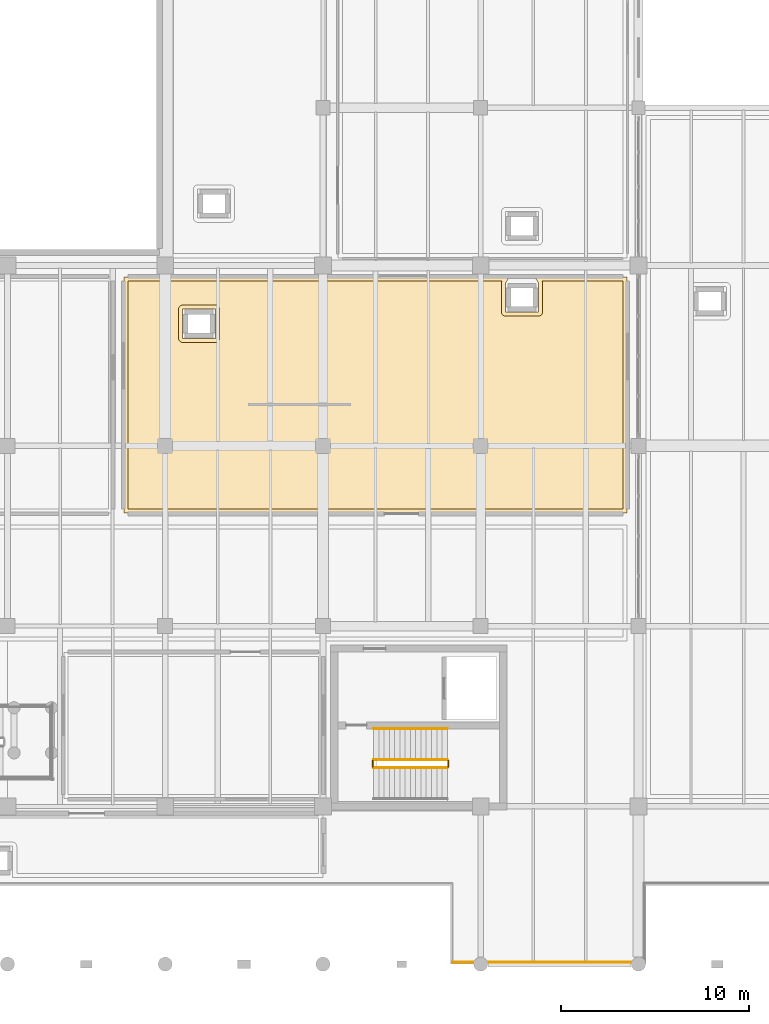
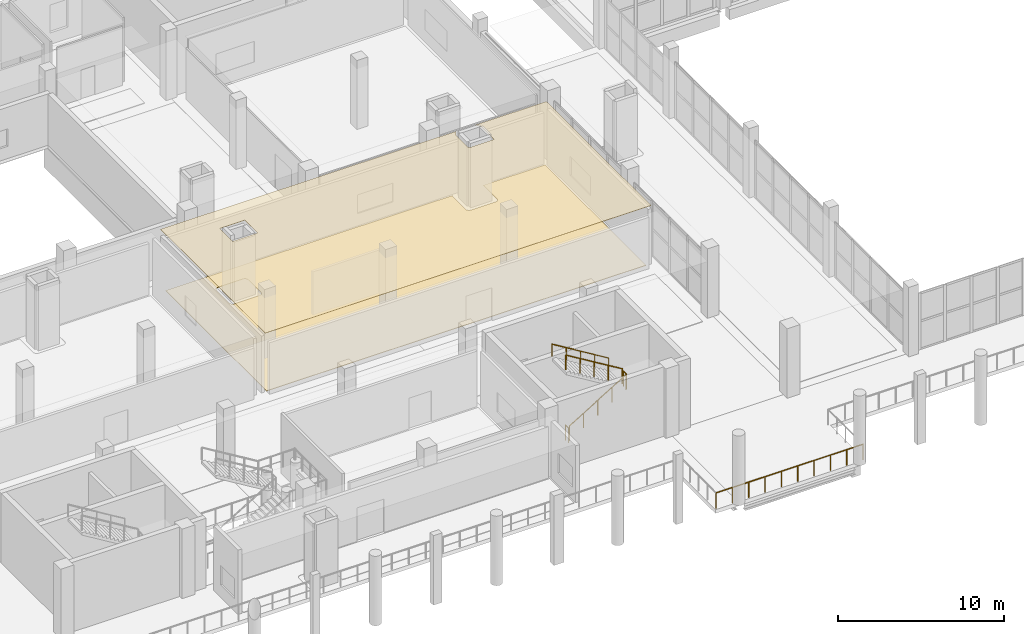
# One storey, part 58 of 66: 6 railings, 2 coverings.
"""IFC4 building model written with IfcOpenShell, lengths in metres."""

import ifcopenshell
import ifcopenshell.guid

model = None  # the IFC model being written
_history = None  # IfcOwnerHistory: only IFC2X3 demands one
_inside = {}  # id of a spatial element -> (the spatial element, [elements in it])
_under = {}  # id of a project, library or spatial element -> (it, [spatial elements below it])
_declared = {}  # id of a project -> (the project, [libraries it declares])
_typed = {}  # id of a type object -> (the type object, [elements of that type])
_made_of = {}  # id of a material, layer set ... -> (it, [elements and type objects made of it])


def new_model(schema):
    """Start an empty IFC model of exactly this schema.

    Asked for "IFC4X3", IfcOpenShell would pick the latest addendum, in which some entities
    have other attributes; the version numbers below select the first issue.
    IFC2X3 requires an IfcOwnerHistory on every rooted entity: one is made here for all.
    """
    global model, _history
    if schema == "IFC4X3":
        model = ifcopenshell.file(schema_version=(4, 3, 0, 0))
    else:
        model = ifcopenshell.file(schema=schema)
    _inside.clear()
    _under.clear()
    _declared.clear()
    _typed.clear()
    _made_of.clear()
    _history = None
    if model.schema == "IFC2X3":
        org = make("IfcOrganization", Name="unknown")
        user = make(
            "IfcPersonAndOrganization",
            ThePerson=make("IfcPerson", FamilyName="unknown"),
            TheOrganization=org,
        )
        app = make(
            "IfcApplication",
            ApplicationDeveloper=org,
            Version="unknown",
            ApplicationFullName="unknown",
            ApplicationIdentifier="unknown",
        )
        _history = make(
            "IfcOwnerHistory",
            OwningUser=user,
            OwningApplication=app,
            ChangeAction="ADDED",
            CreationDate=0,
        )
    return model


def make(cls, **values):
    """One entity of the class cls with the attributes given. An attribute that is None is left unset."""
    return model.create_entity(
        cls, **{name: value for name, value in values.items() if value is not None}
    )


def rooted(cls, **values):
    """An entity with a GlobalId (a new one), such as an element, a storey or a relation."""
    return make(cls, GlobalId=ifcopenshell.guid.new(), OwnerHistory=_history, **values)


def si_unit(unit_type, name, prefix=None):
    """IfcSIUnit, for example si_unit("LENGTHUNIT", "METRE", prefix="MILLI")."""
    return make("IfcSIUnit", UnitType=unit_type, Prefix=prefix, Name=name)


def assignment(units):
    """IfcUnitAssignment: the units of a project."""
    return None if units is None else make("IfcUnitAssignment", Units=units)


def point(xyz):
    """IfcCartesianPoint."""
    return None if xyz is None else make("IfcCartesianPoint", Coordinates=xyz)


def direction(xyz):
    """IfcDirection."""
    return None if xyz is None else make("IfcDirection", DirectionRatios=xyz)


def frame(location, z_axis=None, x_axis=None):
    """IfcAxis2Placement3D, a coordinate frame: its origin and axes. An axis left out is left unset."""
    return make(
        "IfcAxis2Placement3D",
        Location=point(location),
        Axis=direction(z_axis),
        RefDirection=direction(x_axis),
    )


def frame_2d(location, x_axis=None):
    """IfcAxis2Placement2D, a coordinate frame in the plane: its origin and x axis."""
    return make(
        "IfcAxis2Placement2D", Location=point(location), RefDirection=direction(x_axis)
    )


def origin():
    """The frame at (0, 0, 0) with its axes left unset."""
    return frame((0.0, 0.0, 0.0))


def origin_2d():
    """The frame at (0, 0) in the plane with its x axis left unset."""
    return frame_2d((0.0, 0.0))


def place(relative_to, where):
    """IfcLocalPlacement: puts the frame where relative to a parent placement (None: the world)."""
    return make(
        "IfcLocalPlacement", PlacementRelTo=relative_to, RelativePlacement=where
    )


def context(
    kind, dimensions, precision=None, world=None, true_north=None, identifier=None
):
    """IfcGeometricRepresentationContext, for example the 3D "Model" context."""
    return make(
        "IfcGeometricRepresentationContext",
        ContextIdentifier=identifier,
        ContextType=kind,
        CoordinateSpaceDimension=dimensions,
        Precision=precision,
        WorldCoordinateSystem=world,
        TrueNorth=true_north,
    )


def subcontext(parent, identifier, kind, view, scale=None):
    """IfcGeometricRepresentationSubContext, for example "Body" below "Model"."""
    return make(
        "IfcGeometricRepresentationSubContext",
        ContextIdentifier=identifier,
        ContextType=kind,
        ParentContext=parent,
        TargetScale=scale,
        TargetView=view,
    )


def project(units=None, contexts=None):
    """IfcProject with its units and contexts."""
    return rooted(
        "IfcProject",
        Name="project",
        RepresentationContexts=contexts,
        UnitsInContext=assignment(units),
    )


def spatial(cls, under=None, at=None, **own):
    """A site, building, storey or space (cls), placed at a placement, below another one or the project."""
    s = rooted(cls, ObjectPlacement=at, **own)
    if under is not None:
        _under.setdefault(under.id(), (under, []))[1].append(s)
    return s


def polyline(points):
    """IfcPolyline through the points."""
    return make("IfcPolyline", Points=[point(p) for p in points])


def profile(cls, at=None, kind="AREA", **sizes):
    """A parametric profile (cls). Its sizes go by their IFC names, for example OverallWidth=200.0."""
    return make(cls, ProfileType=kind, Position=at, **sizes)


def circle(**sizes):
    """IfcCircleProfileDef."""
    return profile("IfcCircleProfileDef", **sizes)


def outline(outer, holes=None, kind="AREA"):
    """IfcArbitraryClosedProfileDef: a profile drawn as a closed curve; with holes, ...WithVoids."""
    if holes is None:
        return make("IfcArbitraryClosedProfileDef", ProfileType=kind, OuterCurve=outer)
    return make(
        "IfcArbitraryProfileDefWithVoids",
        ProfileType=kind,
        OuterCurve=outer,
        InnerCurves=holes,
    )


def extrude(swept, where, along, depth):
    """IfcExtrudedAreaSolid: the profile swept, set in the frame where, extruded along a direction by depth."""
    return make(
        "IfcExtrudedAreaSolid",
        SweptArea=swept,
        Position=where,
        ExtrudedDirection=direction(along),
        Depth=depth,
    )


def shape(context_of_items, identifier, shape_type, items):
    """IfcShapeRepresentation: the items that make up one representation, for example the "Body"."""
    return make(
        "IfcShapeRepresentation",
        ContextOfItems=context_of_items,
        RepresentationIdentifier=identifier,
        RepresentationType=shape_type,
        Items=items,
    )


def material(Name=None, Category=None):
    """IfcMaterial."""
    return make("IfcMaterial", Name=Name, Category=Category)


def layer(
    of_material, thickness, ventilated=None, Name=None, Category=None, Priority=None
):
    """IfcMaterialLayer: one layer of a wall or slab, of a material (None: an air gap)."""
    return make(
        "IfcMaterialLayer",
        Material=of_material,
        LayerThickness=thickness,
        IsVentilated=ventilated,
        Name=Name,
        Category=Category,
        Priority=Priority,
    )


def layer_set(layers, Name=None):
    """IfcMaterialLayerSet."""
    return make("IfcMaterialLayerSet", MaterialLayers=layers, LayerSetName=Name)


def made_of(thing, what):
    """Note that an element or type object is made of a material, layer set ...; save() writes the relation."""
    if what is not None:
        _made_of.setdefault(what.id(), (what, []))[1].append(thing)
    return thing


def type_object(cls, material=None, **own):
    """A type object (cls), such as IfcWallType, which elements share."""
    return made_of(rooted(cls, **own), material)


def element(
    cls,
    number,
    at=None,
    inside=None,
    cuts=None,
    type_object=None,
    material=None,
    context=None,
    identifier="Body",
    shape_type=None,
    held_by="IfcProductDefinitionShape",
    body=None,
    shapes=None,
    **own,
):
    """One element of the class cls, such as IfcWall. Its Tag is "e" and its number.

    at: its placement. inside: the storey or other place that contains it. cuts: it is an
    opening in that element (IfcRelVoidsElement). A single representation is given by context,
    identifier, shape_type and body (its items); several are given by shapes. held_by: the class
    of the entity that holds the representations. save() writes the other relations.
    """
    e = rooted(cls, Tag="e%d" % number, ObjectPlacement=at, **own)
    if body is not None:
        shapes = [shape(context, identifier, shape_type, body)]
    if shapes is not None:
        e.Representation = make(held_by, Representations=shapes)
    if inside is not None:
        _inside.setdefault(inside.id(), (inside, []))[1].append(e)
    if cuts is not None:
        rooted(
            "IfcRelVoidsElement", RelatingBuildingElement=cuts, RelatedOpeningElement=e
        )
    if type_object is not None:
        _typed.setdefault(type_object.id(), (type_object, []))[1].append(e)
    return made_of(e, material)


def aggregate(whole, parts):
    """IfcRelAggregates: a whole, such as a stair, and the parts it consists of."""
    return rooted("IfcRelAggregates", RelatingObject=whole, RelatedObjects=parts)


def save(model, path):
    """Write the relations noted so far, then the file.

    IfcRelAggregates (storeys below a building ...), IfcRelContainedInSpatialStructure (elements
    in a storey), IfcRelDefinesByType, IfcRelAssociatesMaterial and IfcRelDeclares: one each for
    every whole, place, type object, material and project.
    """
    for whole, parts in _under.values():
        aggregate(whole, parts)
    for where, things in _inside.values():
        rooted(
            "IfcRelContainedInSpatialStructure",
            RelatedElements=things,
            RelatingStructure=where,
        )
    for kind, things in _typed.values():
        rooted("IfcRelDefinesByType", RelatedObjects=things, RelatingType=kind)
    for what, things in _made_of.values():
        rooted("IfcRelAssociatesMaterial", RelatedObjects=things, RelatingMaterial=what)
    for by, libraries in _declared.values():
        rooted("IfcRelDeclares", RelatingContext=by, RelatedDefinitions=libraries)
    model.write(path)


model = new_model("IFC4")

# Units and contexts
model_context = context("Model", 3, precision=1e-05, world=origin(), true_north=direction((0.0, 1.0)))
body_context = subcontext(model_context, "Body", "Model", "MODEL_VIEW")
ifc_project = project(units=[si_unit("LENGTHUNIT", "METRE"), si_unit("AREAUNIT", "SQUARE_METRE"), si_unit("VOLUMEUNIT", "CUBIC_METRE"), si_unit("PLANEANGLEUNIT", "RADIAN"), si_unit("MASSUNIT", "GRAM", prefix="KILO")], contexts=[model_context])

# Site, building, storey
site_placement = place(None, origin())
site = spatial("IfcSite", under=ifc_project, at=site_placement, CompositionType="ELEMENT")
building_placement = place(site_placement, origin())
building = spatial("IfcBuilding", under=site, at=building_placement, Name="Zulmaris Art Gallery", CompositionType="ELEMENT")
storey_placement = place(building_placement, frame((0.0, 0.0, 5.39990234375)))
storey = spatial("IfcBuildingStorey", under=building, at=storey_placement, Name="L01", CompositionType="ELEMENT", Elevation=5.39990234375)

# Coverings
ifc_material_1 = material(Name="Luminous UV-Diffusing Stretched Gallery Ceiling", Category="gypsum")
ifc_layer_1 = layer(ifc_material_1, 0.034912109375)
ifc_layer_set_1 = layer_set([ifc_layer_1], Name="Luminous UV-Diffusing Stretched Gallery Ceiling")
covering_type_1 = type_object("IfcCoveringType", Name="COV-CL02", PredefinedType="CEILING", material=ifc_layer_set_1)
covering_1_placement = place(storey_placement, frame((0.0, 0.0, 4.4501953125)))
element("IfcCovering", 1, at=covering_1_placement, inside=storey, type_object=covering_type_1, Name="Contemporary Arab Photography Gallery acoustic ceiling", PredefinedType="CEILING", context=body_context, shape_type="SweptSolid", body=[
    extrude(outline(polyline([(75.721435546875, 49.45849609375), (75.720703125, 49.455810546875), (75.720458984375, 49.452880859375), (75.719970703125, 49.444580078125), (75.719970703125, 47.955322265625), (75.720458984375, 47.947021484375), (75.720703125, 47.944091796875), (75.721435546875, 47.94140625), (75.722412109375, 47.938720703125), (75.723876953125, 47.93603515625), (75.725341796875, 47.93359375), (75.72705078125, 47.93115234375), (75.72900390625, 47.928955078125), (75.731201171875, 47.927001953125), (75.7333984375, 47.92529296875), (75.736083984375, 47.923828125), (75.738525390625, 47.922607421875), (75.741455078125, 47.92138671875), (75.744140625, 47.9208984375), (75.7470703125, 47.92041015625), (75.75537109375, 47.919921875), (77.444580078125, 47.919921875), (77.452880859375, 47.92041015625), (77.455810546875, 47.9208984375), (77.45849609375, 47.92138671875), (77.46142578125, 47.922607421875), (77.464111328125, 47.923828125), (77.466552734375, 47.92529296875), (77.468994140625, 47.927001953125), (77.470947265625, 47.928955078125), (77.472900390625, 47.93115234375), (77.474609375, 47.93359375), (77.476318359375, 47.93603515625), (77.4775390625, 47.938720703125), (77.478515625, 47.94140625), (77.479248046875, 47.944091796875), (77.4794921875, 47.947021484375), (77.47998046875, 47.955322265625), (77.47998046875, 49.444580078125), (77.4794921875, 49.452880859375), (77.479248046875, 49.455810546875), (77.478515625, 49.45849609375), (77.4775390625, 49.46142578125), (77.476318359375, 49.464111328125), (77.28076171875, 49.7900390625), (82.18994140625, 49.7900390625), (82.18994140625, 37.2099609375), (55.409912109375, 37.2099609375), (55.409912109375, 49.7900390625), (75.919189453125, 49.7900390625), (75.723876953125, 49.464111328125), (75.722412109375, 49.46142578125), (75.721435546875, 49.45849609375)]), holes=[polyline([(58.54150390625, 48.07861328125), (58.53857421875, 48.077392578125), (58.535888671875, 48.076171875), (58.533447265625, 48.07470703125), (58.531005859375, 48.072998046875), (58.529052734375, 48.071044921875), (58.527099609375, 48.06884765625), (58.525390625, 48.06640625), (58.523681640625, 48.06396484375), (58.5224609375, 48.061279296875), (58.521484375, 48.05859375), (58.520751953125, 48.055908203125), (58.5205078125, 48.052978515625), (58.52001953125, 48.044677734375), (58.52001953125, 46.555419921875), (58.5205078125, 46.547119140625), (58.520751953125, 46.544189453125), (58.521484375, 46.54150390625), (58.5224609375, 46.53857421875), (58.523681640625, 46.535888671875), (58.525390625, 46.533447265625), (58.527099609375, 46.531005859375), (58.529052734375, 46.529052734375), (58.531005859375, 46.527099609375), (58.533447265625, 46.525390625), (58.535888671875, 46.523681640625), (58.53857421875, 46.5224609375), (58.54150390625, 46.521484375), (58.544189453125, 46.520751953125), (58.547119140625, 46.5205078125), (58.555419921875, 46.52001953125), (60.24462890625, 46.52001953125), (60.2529296875, 46.5205078125), (60.255859375, 46.520751953125), (60.258544921875, 46.521484375), (60.261474609375, 46.5224609375), (60.263916015625, 46.523681640625), (60.2666015625, 46.525390625), (60.268798828125, 46.527099609375), (60.27099609375, 46.529052734375), (60.27294921875, 46.531005859375), (60.274658203125, 46.533447265625), (60.276123046875, 46.535888671875), (60.277587890625, 46.53857421875), (60.278564453125, 46.54150390625), (60.279296875, 46.544189453125), (60.279541015625, 46.547119140625), (60.280029296875, 46.555419921875), (60.280029296875, 48.044677734375), (60.279541015625, 48.052978515625), (60.279296875, 48.055908203125), (60.278564453125, 48.05859375), (60.277587890625, 48.061279296875), (60.276123046875, 48.06396484375), (60.274658203125, 48.06640625), (60.27294921875, 48.06884765625), (60.27099609375, 48.071044921875), (60.268798828125, 48.072998046875), (60.2666015625, 48.07470703125), (60.263916015625, 48.076171875), (60.261474609375, 48.077392578125), (60.258544921875, 48.07861328125), (60.255859375, 48.0791015625), (60.2529296875, 48.07958984375), (60.24462890625, 48.080078125), (58.555419921875, 48.080078125), (58.547119140625, 48.07958984375), (58.544189453125, 48.0791015625), (58.54150390625, 48.07861328125)])]), origin(), (0.0, 0.0, 1.0), 0.02978515625),
])
ifc_material_2 = material(Name="Oiled European Oak Gallery Parquet Flooring", Category="timber")
ifc_layer_2 = layer(ifc_material_2, 0.030029296875)
ifc_layer_set_2 = layer_set([ifc_layer_2], Name="Oiled European Oak Gallery Parquet Flooring")
covering_type_2 = type_object("IfcCoveringType", Name="COV-FL02", PredefinedType="FLOORING", material=ifc_layer_set_2)
covering_2_placement = place(storey_placement, origin())
element("IfcCovering", 2, at=covering_2_placement, inside=storey, type_object=covering_type_2, Name="Contemporary Arab Photography Gallery finish flooring", PredefinedType="FLOORING", context=body_context, shape_type="SweptSolid", body=[
    extrude(outline(polyline([(75.529541015625, 49.56787109375), (75.51904296875, 49.545654296875), (75.5107421875, 49.522705078125), (75.5048828125, 49.498779296875), (75.501220703125, 49.474609375), (75.5, 49.449951171875), (75.5, 47.949951171875), (75.501220703125, 47.925537109375), (75.5048828125, 47.901123046875), (75.5107421875, 47.87744140625), (75.51904296875, 47.854248046875), (75.529541015625, 47.832275390625), (75.5419921875, 47.81103515625), (75.556640625, 47.79150390625), (75.5732421875, 47.773193359375), (75.59130859375, 47.756591796875), (75.611083984375, 47.7421875), (75.632080078125, 47.7294921875), (75.654296875, 47.718994140625), (75.677490234375, 47.710693359375), (75.701171875, 47.704833984375), (75.7255859375, 47.701171875), (75.75, 47.699951171875), (77.449951171875, 47.699951171875), (77.474609375, 47.701171875), (77.498779296875, 47.704833984375), (77.522705078125, 47.710693359375), (77.545654296875, 47.718994140625), (77.56787109375, 47.7294921875), (77.5888671875, 47.7421875), (77.608642578125, 47.756591796875), (77.626708984375, 47.773193359375), (77.643310546875, 47.79150390625), (77.657958984375, 47.81103515625), (77.67041015625, 47.832275390625), (77.680908203125, 47.854248046875), (77.689208984375, 47.87744140625), (77.6953125, 47.901123046875), (77.69873046875, 47.925537109375), (77.699951171875, 47.949951171875), (77.699951171875, 49.449951171875), (77.69873046875, 49.474609375), (77.6953125, 49.498779296875), (77.689208984375, 49.522705078125), (77.680908203125, 49.545654296875), (77.67041015625, 49.56787109375), (77.669189453125, 49.570068359375), (81.969970703125, 49.570068359375), (81.969970703125, 37.429931640625), (55.6298828125, 37.429931640625), (55.6298828125, 49.570068359375), (75.53076171875, 49.570068359375), (75.529541015625, 49.56787109375)]), holes=[polyline([(58.525390625, 48.298828125), (58.501220703125, 48.295166015625), (58.477294921875, 48.289306640625), (58.454345703125, 48.281005859375), (58.43212890625, 48.2705078125), (58.4111328125, 48.2578125), (58.391357421875, 48.243408203125), (58.373291015625, 48.226806640625), (58.356689453125, 48.20849609375), (58.342041015625, 48.18896484375), (58.32958984375, 48.167724609375), (58.319091796875, 48.145751953125), (58.310791015625, 48.12255859375), (58.3046875, 48.098876953125), (58.30126953125, 48.074462890625), (58.300048828125, 48.050048828125), (58.300048828125, 46.550048828125), (58.30126953125, 46.525390625), (58.3046875, 46.501220703125), (58.310791015625, 46.477294921875), (58.319091796875, 46.454345703125), (58.32958984375, 46.43212890625), (58.342041015625, 46.4111328125), (58.356689453125, 46.391357421875), (58.373291015625, 46.373291015625), (58.391357421875, 46.356689453125), (58.4111328125, 46.342041015625), (58.43212890625, 46.32958984375), (58.454345703125, 46.319091796875), (58.477294921875, 46.310791015625), (58.501220703125, 46.3046875), (58.525390625, 46.30126953125), (58.550048828125, 46.300048828125), (60.25, 46.300048828125), (60.2744140625, 46.30126953125), (60.298828125, 46.3046875), (60.322509765625, 46.310791015625), (60.345703125, 46.319091796875), (60.367919921875, 46.32958984375), (60.388916015625, 46.342041015625), (60.40869140625, 46.356689453125), (60.4267578125, 46.373291015625), (60.443359375, 46.391357421875), (60.4580078125, 46.4111328125), (60.470458984375, 46.43212890625), (60.48095703125, 46.454345703125), (60.4892578125, 46.477294921875), (60.4951171875, 46.501220703125), (60.498779296875, 46.525390625), (60.5, 46.550048828125), (60.5, 48.050048828125), (60.498779296875, 48.074462890625), (60.4951171875, 48.098876953125), (60.4892578125, 48.12255859375), (60.48095703125, 48.145751953125), (60.470458984375, 48.167724609375), (60.4580078125, 48.18896484375), (60.443359375, 48.20849609375), (60.4267578125, 48.226806640625), (60.40869140625, 48.243408203125), (60.388916015625, 48.2578125), (60.367919921875, 48.2705078125), (60.345703125, 48.281005859375), (60.322509765625, 48.289306640625), (60.298828125, 48.295166015625), (60.2744140625, 48.298828125), (60.25, 48.300048828125), (58.550048828125, 48.300048828125), (58.525390625, 48.298828125)])]), origin(), (0.0, 0.0, 1.0), 0.03515625),
])

# Railings
ifc_material_3 = material(Name="Bronze & Laminated Glass Balustrade", Category="glass")
ifc_layer_3 = layer(ifc_material_3, 0.070068359375)
ifc_layer_set_3 = layer_set([ifc_layer_3], Name="Bronze & Laminated Glass Balustrade")
railing_type_1 = type_object("IfcRailingType", Name="RAIL-BAL01", PredefinedType="BALUSTRADE", material=ifc_layer_set_3)
railing_1_placement = place(storey_placement, frame((72.89990234375, 13.300048828125, 0.0)))
element("IfcRailing", 3, at=railing_1_placement, inside=storey, type_object=railing_type_1, Name="L01 V2 South Mid Balustrade", PredefinedType="BALUSTRADE", context=body_context, shape_type="SweptSolid", body=[
    extrude(circle(Radius=0.02392578125, at=origin_2d()), frame((0.0, 0.0, 1.1357421875), z_axis=(1.0, 0.0, 0.0), x_axis=(0.0, 1.0, 0.0)), (0.0, 0.0, 1.0), 10.2001953125),
    extrude(circle(Radius=0.02099609375, at=origin_2d()), origin(), (0.0, 0.0, 1.0), 1.11181640625),
    extrude(circle(Radius=0.02099609375, at=origin_2d()), frame((1.13330078125, 0.0, 0.0)), (0.0, 0.0, 1.0), 1.11181640625),
    extrude(circle(Radius=0.02099609375, at=origin_2d()), frame((2.2666015625, 0.0, 0.0)), (0.0, 0.0, 1.0), 1.11181640625),
    extrude(circle(Radius=0.02099609375, at=origin_2d()), frame((3.400146484375, 0.0, 0.0)), (0.0, 0.0, 1.0), 1.11181640625),
    extrude(circle(Radius=0.02099609375, at=origin_2d()), frame((4.533447265625, 0.0, 0.0)), (0.0, 0.0, 1.0), 1.11181640625),
    extrude(circle(Radius=0.02099609375, at=origin_2d()), frame((5.666748046875, 0.0, 0.0)), (0.0, 0.0, 1.0), 1.11181640625),
    extrude(circle(Radius=0.02099609375, at=origin_2d()), frame((6.800048828125, 0.0, 0.0)), (0.0, 0.0, 1.0), 1.11181640625),
    extrude(circle(Radius=0.02099609375, at=origin_2d()), frame((7.93359375, 0.0, 0.0)), (0.0, 0.0, 1.0), 1.11181640625),
    extrude(circle(Radius=0.02099609375, at=origin_2d()), frame((9.06689453125, 0.0, 0.0)), (0.0, 0.0, 1.0), 1.11181640625),
    extrude(circle(Radius=0.02099609375, at=origin_2d()), frame((10.2001953125, 0.0, 0.0)), (0.0, 0.0, 1.0), 1.11181640625),
])
ifc_material_4 = material(Name="Steel S355J2", Category="steel")
ifc_layer_4 = layer(ifc_material_4, 0.050048828125)
ifc_layer_set_4 = layer_set([ifc_layer_4], Name="Steel S355J2")
railing_type_2 = type_object("IfcRailingType", Name="RAIL-STGRD", PredefinedType="GUARDRAIL", material=ifc_layer_set_4)
railing_2_placement = place(storey_placement, frame((68.699951171875, 23.64990234375, 0.170166015625)))
element("IfcRailing", 4, at=railing_2_placement, inside=storey, type_object=railing_type_2, Name="L01 ST2 stair guard 1", PredefinedType="GUARDRAIL", context=body_context, shape_type="SweptSolid", body=[
    extrude(circle(Radius=0.02392578125, at=origin_2d()), frame((0.0, 0.0, 1.076171875), z_axis=(0.854808600491, 0.0, 0.518943403973), x_axis=(0.0, 1.0, 0.0)), (0.0, 0.0, 1.0), 4.5859375),
    extrude(circle(Radius=0.02099609375, at=origin_2d()), origin(), (0.0, 0.0, 1.0), 1.052001953125),
    extrude(circle(Radius=0.02099609375, at=origin_2d()), frame((0.97998046875, 0.0, 0.594970703125)), (0.0, 0.0, 1.0), 1.052001953125),
    extrude(circle(Radius=0.02099609375, at=origin_2d()), frame((1.9599609375, 0.0, 1.18994140625)), (0.0, 0.0, 1.0), 1.052001953125),
    extrude(circle(Radius=0.02099609375, at=origin_2d()), frame((2.940185546875, 0.0, 1.784912109375)), (0.0, 0.0, 1.0), 1.052001953125),
    extrude(circle(Radius=0.02099609375, at=origin_2d()), frame((3.920166015625, 0.0, 2.3798828125)), (0.0, 0.0, 1.0), 1.052001953125),
])
railing_3_placement = place(storey_placement, frame((72.669921875, 23.699951171875, 2.550048828125)))
element("IfcRailing", 5, at=railing_3_placement, inside=storey, type_object=railing_type_2, Name="L01 ST2 stair guard 2", PredefinedType="GUARDRAIL", context=body_context, shape_type="SweptSolid", body=[
    extrude(circle(Radius=0.02392578125, at=origin_2d()), frame((0.0, 0.0, 1.076171875), z_axis=(0.0, 1.0, 0.0), x_axis=(-1.0, 0.0, 0.0)), (0.0, 0.0, 1.0), 0.340087890625),
    extrude(circle(Radius=0.02099609375, at=origin_2d()), origin(), (0.0, 0.0, 1.0), 1.052001953125),
    extrude(circle(Radius=0.02099609375, at=origin_2d()), frame((0.0, 0.340087890625, 0.0)), (0.0, 0.0, 1.0), 1.052001953125),
])
railing_4_placement = place(storey_placement, frame((72.6201171875, 24.090087890625, 2.72021484375)))
element("IfcRailing", 6, at=railing_4_placement, inside=storey, type_object=railing_type_2, Name="L01 ST2 stair guard 3", PredefinedType="GUARDRAIL", context=body_context, shape_type="SweptSolid", body=[
    extrude(circle(Radius=0.02392578125, at=origin_2d()), frame((0.0, 0.0, 1.076171875), z_axis=(-0.854808600491, 0.0, 0.518943403973), x_axis=(0.0, -1.0, 0.0)), (0.0, 0.0, 1.0), 4.5859375),
    extrude(circle(Radius=0.02099609375, at=origin_2d()), origin(), (0.0, 0.0, 1.0), 1.052001953125),
    extrude(circle(Radius=0.02099609375, at=origin_2d()), frame((-0.97998046875, 0.0, 0.594970703125)), (0.0, 0.0, 1.0), 1.052001953125),
    extrude(circle(Radius=0.02099609375, at=origin_2d()), frame((-1.9599609375, 0.0, 1.18994140625)), (0.0, 0.0, 1.0), 1.052001953125),
    extrude(circle(Radius=0.02099609375, at=origin_2d()), frame((-2.940185546875, 0.0, 1.784912109375)), (0.0, 0.0, 1.0), 1.052001953125),
    extrude(circle(Radius=0.02099609375, at=origin_2d()), frame((-3.920166015625, 0.0, 2.3798828125)), (0.0, 0.0, 1.0), 1.052001953125),
])
railing_5_placement = place(storey_placement, frame((68.64990234375, 23.699951171875, 0.0)))
element("IfcRailing", 7, at=railing_5_placement, inside=storey, type_object=railing_type_2, Name="L01 ST2 stair guard 4", PredefinedType="GUARDRAIL", context=body_context, shape_type="SweptSolid", body=[
    extrude(circle(Radius=0.02392578125, at=origin_2d()), frame((0.0, 0.0, 1.076171875), z_axis=(0.0, 1.0, 0.0), x_axis=(-1.0, 0.0, 0.0)), (0.0, 0.0, 1.0), 0.340087890625),
    extrude(circle(Radius=0.02099609375, at=origin_2d()), origin(), (0.0, 0.0, 1.0), 1.052001953125),
    extrude(circle(Radius=0.02099609375, at=origin_2d()), frame((0.0, 0.340087890625, 0.0)), (0.0, 0.0, 1.0), 1.052001953125),
])
ifc_material_5 = material(Name="Brushed Bronze Handrail", Category="steel")
ifc_layer_5 = layer(ifc_material_5, 0.048095703125)
ifc_layer_set_5 = layer_set([ifc_layer_5], Name="Brushed Bronze Handrail")
railing_type_3 = type_object("IfcRailingType", Name="RAIL-STHND", PredefinedType="HANDRAIL", material=ifc_layer_set_5)
railing_6_placement = place(storey_placement, frame((72.6201171875, 25.739990234375, 2.72021484375)))
element("IfcRailing", 8, at=railing_6_placement, inside=storey, type_object=railing_type_3, Name="L01 ST2 stair handrail 2", PredefinedType="HANDRAIL", context=body_context, shape_type="SweptSolid", body=[
    extrude(circle(Radius=0.02392578125, at=origin_2d()), frame((0.0, 0.0, 0.8759765625), z_axis=(-0.854808600491, 0.0, 0.518943403973), x_axis=(0.0, -1.0, 0.0)), (0.0, 0.0, 1.0), 4.5859375),
    extrude(circle(Radius=0.02099609375, at=origin_2d()), origin(), (0.0, 0.0, 1.0), 0.851806640625),
    extrude(circle(Radius=0.02099609375, at=origin_2d()), frame((-0.97998046875, 0.0, 0.594970703125)), (0.0, 0.0, 1.0), 0.851806640625),
    extrude(circle(Radius=0.02099609375, at=origin_2d()), frame((-1.9599609375, 0.0, 1.18994140625)), (0.0, 0.0, 1.0), 0.851806640625),
    extrude(circle(Radius=0.02099609375, at=origin_2d()), frame((-2.940185546875, 0.0, 1.784912109375)), (0.0, 0.0, 1.0), 0.851806640625),
    extrude(circle(Radius=0.02099609375, at=origin_2d()), frame((-3.920166015625, 0.0, 2.3798828125)), (0.0, 0.0, 1.0), 0.851806640625),
])

save(model, "model.ifc")
